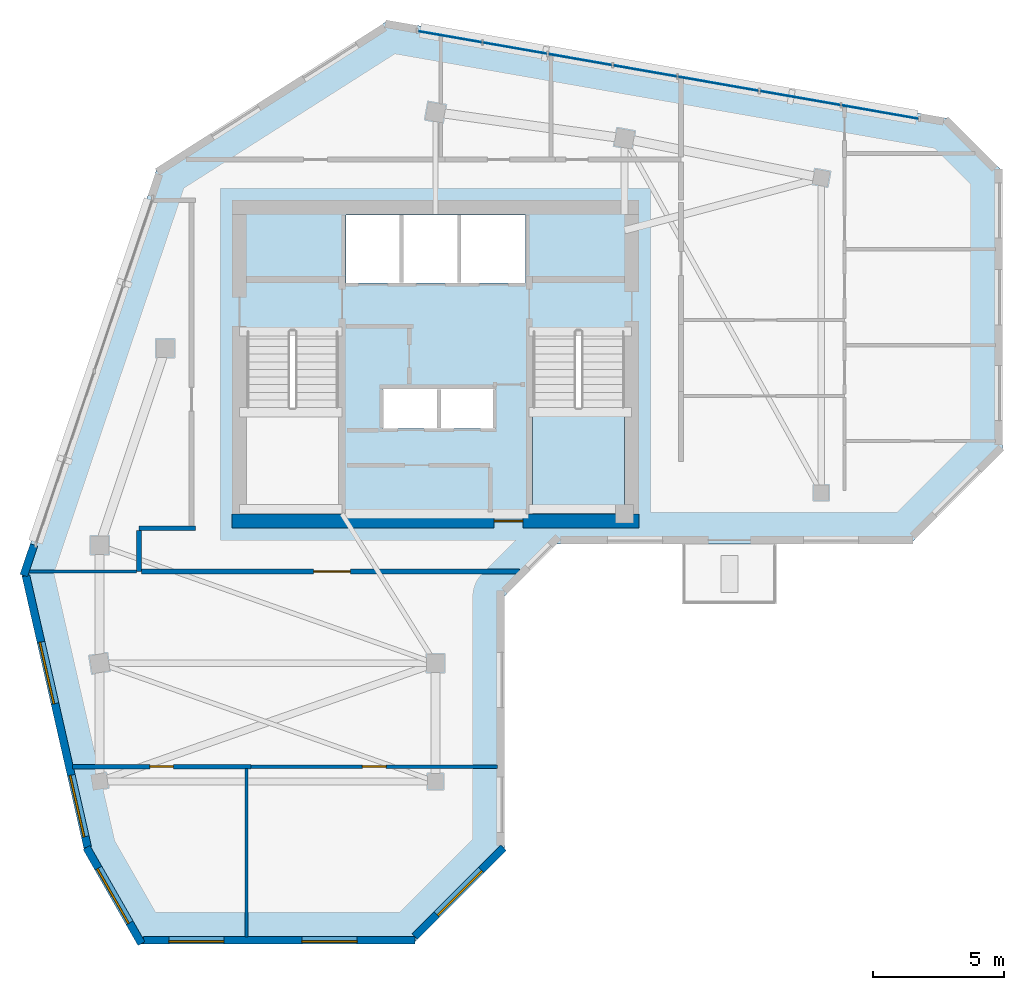
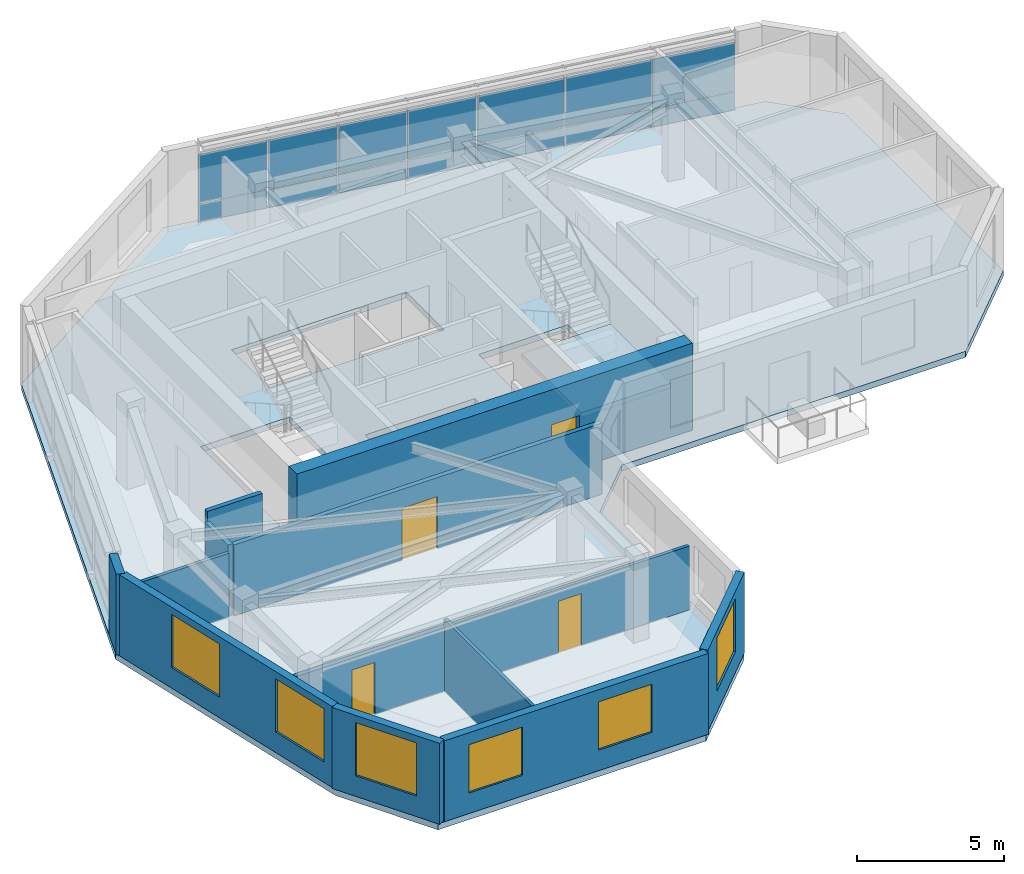
# One storey, part 3 of 9: 14 plates, 13 walls, 6 windows, 4 doors, 2 slabs, 10 openings, 2 elements without a shape of their own.
"""IFC4 building model written with IfcOpenShell, lengths in metres."""

from ifc_helpers import new_model, si_unit, direction, frame, frame_2d, origin, place, context, subcontext, project, spatial, polyline, rectangle, outline, extrude, source, transform, mapped, material, layer, layer_set, type_object, element, fill, aggregate, save


model = new_model("IFC4")

# Units and contexts
model_context = context("Model", 3, precision=1e-05, world=origin(), true_north=direction((0.0, 1.0)))
body_context = subcontext(model_context, "Body", "Model", "MODEL_VIEW")
ifc_project = project(units=[si_unit("LENGTHUNIT", "METRE"), si_unit("AREAUNIT", "SQUARE_METRE"), si_unit("VOLUMEUNIT", "CUBIC_METRE"), si_unit("PLANEANGLEUNIT", "RADIAN"), si_unit("MASSUNIT", "GRAM", prefix="KILO")], contexts=[model_context])

# Site, building, storey
site_placement = place(None, origin())
site = spatial("IfcSite", under=ifc_project, at=site_placement, CompositionType="ELEMENT")
building_placement = place(site_placement, origin())
building = spatial("IfcBuilding", under=site, at=building_placement, Name="Calvemar Wedge Station Tower", CompositionType="ELEMENT")
storey_placement = place(building_placement, frame((0.0, 0.0, 270.89990234375)))
storey = spatial("IfcBuildingStorey", under=building, at=storey_placement, Name="L69", CompositionType="ELEMENT", Elevation=270.89990234375)

# Curtain wall, plates
ifc_material_1 = material(Name="Anodised aluminium 6063-T6", Category="aluminium")
curtain_wall_type = type_object("IfcCurtainWallType", Name="CW4", PredefinedType="NOTDEFINED", material=ifc_material_1)
curtain_wall_placement = place(storey_placement, origin())
curtain_wall = element("IfcCurtainWall", 1, at=curtain_wall_placement, inside=storey, type_object=curtain_wall_type, Name="Storey L69 CW4 Recessed Unitised Curtain Wall 10", PredefinedType="NOTDEFINED")
ifc_material_2 = material(Name="Low-E laminated insulated glass", Category="glass")
ifc_layer_1 = layer(ifc_material_2, 0.028076171875)
ifc_layer_set_1 = layer_set([ifc_layer_1], Name="Low-E laminated insulated glass")
plate_type_1 = type_object("IfcPlateType", Name="CW4-GLZ", PredefinedType="CURTAIN_PANEL", material=ifc_layer_set_1)
plate_1_placement = place(storey_placement, frame((42.2158203125, 49.25, 0.8701171875), z_axis=(0.0, 0.0, 1.0), x_axis=(-0.985039826474, 0.172326841378, 0.0)))
plate_1 = element("IfcPlate", 2, at=plate_1_placement, type_object=plate_type_1, Name="CW4 vision glass panel 1", PredefinedType="CURTAIN_PANEL", context=body_context, shape_type="SweptSolid", body=[
    extrude(rectangle(XDim=2.9892578125, YDim=0.028076171875, at=frame_2d((1.49462890625, 0.0))), origin(), (0.0, 0.0, 1.0), 2.010009765625),
])
plate_2_placement = place(storey_placement, frame((39.23583984375, 49.771484375, 0.8701171875), z_axis=(0.0, 0.0, 1.0), x_axis=(-0.985045707379, 0.172293222078, 0.0)))
plate_2 = element("IfcPlate", 3, at=plate_2_placement, type_object=plate_type_1, Name="CW4 vision glass panel 2", PredefinedType="CURTAIN_PANEL", context=body_context, shape_type="SweptSolid", body=[
    extrude(rectangle(XDim=3.12744140625, YDim=0.028076171875, at=frame_2d((1.563720703125, 0.0))), origin(), (0.0, 0.0, 1.0), 2.010009765625),
])
plate_3_placement = place(storey_placement, frame((36.119873046875, 50.31640625, 0.8701171875), z_axis=(0.0, 0.0, 1.0), x_axis=(-0.985032455421, 0.17236896985, 0.0)))
plate_3 = element("IfcPlate", 4, at=plate_3_placement, type_object=plate_type_1, Name="CW4 vision glass panel 3", PredefinedType="CURTAIN_PANEL", context=body_context, shape_type="SweptSolid", body=[
    extrude(rectangle(XDim=3.12744140625, YDim=0.028076171875, at=frame_2d((1.563720703125, 0.0))), origin(), (0.0, 0.0, 1.0), 2.010009765625),
])
plate_4_placement = place(storey_placement, frame((33.00390625, 50.861572265625, 0.8701171875), z_axis=(0.0, 0.0, 1.0), x_axis=(-0.985043436117, 0.172306206978, 0.0)))
plate_4 = element("IfcPlate", 5, at=plate_4_placement, type_object=plate_type_1, Name="CW4 vision glass panel 4", PredefinedType="CURTAIN_PANEL", context=body_context, shape_type="SweptSolid", body=[
    extrude(rectangle(XDim=2.476806640625, YDim=0.028076171875, at=frame_2d((1.23828125, 0.0))), origin(), (0.0, 0.0, 1.0), 2.010009765625),
])
plate_5_placement = place(storey_placement, frame((30.52880859375, 51.294677734375, 0.8701171875), z_axis=(0.0, 0.0, 1.0), x_axis=(-0.985040509104, 0.172322939343, 0.0)))
plate_5 = element("IfcPlate", 6, at=plate_5_placement, type_object=plate_type_1, Name="CW4 vision glass panel 5", PredefinedType="CURTAIN_PANEL", context=body_context, shape_type="SweptSolid", body=[
    extrude(rectangle(XDim=2.4765625, YDim=0.028076171875, at=frame_2d((1.23828125, 0.0))), origin(), (0.0, 0.0, 1.0), 2.010009765625),
])
plate_6_placement = place(storey_placement, frame((28.053955078125, 51.7275390625, 0.8701171875), z_axis=(0.0, 0.0, 1.0), x_axis=(-0.985028799202, 0.172389862645, 0.0)))
plate_6 = element("IfcPlate", 7, at=plate_6_placement, type_object=plate_type_1, Name="CW4 vision glass panel 6", PredefinedType="CURTAIN_PANEL", context=body_context, shape_type="SweptSolid", body=[
    extrude(rectangle(XDim=2.4853515625, YDim=0.028076171875, at=frame_2d((1.24267578125, 0.0))), origin(), (0.0, 0.0, 1.0), 2.010009765625),
])
plate_7_placement = place(storey_placement, frame((25.5703125, 52.162109375, 0.8701171875), z_axis=(0.0, 0.0, 1.0), x_axis=(-0.985039641183, 0.172327900522, 0.0)))
plate_7 = element("IfcPlate", 8, at=plate_7_placement, type_object=plate_type_1, Name="CW4 vision glass panel 7", PredefinedType="CURTAIN_PANEL", context=body_context, shape_type="SweptSolid", body=[
    extrude(rectangle(XDim=2.48486328125, YDim=0.028076171875, at=frame_2d((1.242431640625, 0.0))), origin(), (0.0, 0.0, 1.0), 2.010009765625),
])
ifc_material_3 = material(Name="Oxidized bronze aluminium spandrel panel 5005-H24", Category="aluminium")
ifc_layer_2 = layer(ifc_material_3, 0.0400390625)
ifc_layer_set_2 = layer_set([ifc_layer_2], Name="Oxidized bronze aluminium spandrel panel 5005-H24")
plate_type_2 = type_object("IfcPlateType", Name="CW4-SPD", PredefinedType="SHEET", material=ifc_layer_set_2)
plate_8_placement = place(storey_placement, frame((42.2158203125, 49.25, 0.080078125), z_axis=(0.0, 0.0, 1.0), x_axis=(-0.985039826474, 0.172326841378, 0.0)))
plate_8 = element("IfcPlate", 9, at=plate_8_placement, type_object=plate_type_2, Name="CW4 bronze spandrel panel 1", PredefinedType="SHEET", context=body_context, shape_type="SweptSolid", body=[
    extrude(rectangle(XDim=2.9892578125, YDim=0.0400390625, at=frame_2d((1.49462890625, 0.0))), origin(), (0.0, 0.0, 1.0), 0.75),
])
plate_9_placement = place(storey_placement, frame((39.23583984375, 49.771484375, 0.080078125), z_axis=(0.0, 0.0, 1.0), x_axis=(-0.985045707379, 0.172293222078, 0.0)))
plate_9 = element("IfcPlate", 10, at=plate_9_placement, type_object=plate_type_2, Name="CW4 bronze spandrel panel 2", PredefinedType="SHEET", context=body_context, shape_type="SweptSolid", body=[
    extrude(rectangle(XDim=3.12744140625, YDim=0.0400390625, at=frame_2d((1.563720703125, 0.0))), origin(), (0.0, 0.0, 1.0), 0.75),
])
plate_10_placement = place(storey_placement, frame((36.119873046875, 50.31640625, 0.080078125), z_axis=(0.0, 0.0, 1.0), x_axis=(-0.985032455421, 0.17236896985, 0.0)))
plate_10 = element("IfcPlate", 11, at=plate_10_placement, type_object=plate_type_2, Name="CW4 bronze spandrel panel 3", PredefinedType="SHEET", context=body_context, shape_type="SweptSolid", body=[
    extrude(rectangle(XDim=3.12744140625, YDim=0.0400390625, at=frame_2d((1.563720703125, 0.0))), origin(), (0.0, 0.0, 1.0), 0.75),
])
plate_11_placement = place(storey_placement, frame((33.00390625, 50.861572265625, 0.080078125), z_axis=(0.0, 0.0, 1.0), x_axis=(-0.985043436117, 0.172306206978, 0.0)))
plate_11 = element("IfcPlate", 12, at=plate_11_placement, type_object=plate_type_2, Name="CW4 bronze spandrel panel 4", PredefinedType="SHEET", context=body_context, shape_type="SweptSolid", body=[
    extrude(rectangle(XDim=2.476806640625, YDim=0.0400390625, at=frame_2d((1.23828125, 0.0))), origin(), (0.0, 0.0, 1.0), 0.75),
])
plate_12_placement = place(storey_placement, frame((30.52880859375, 51.294677734375, 0.080078125), z_axis=(0.0, 0.0, 1.0), x_axis=(-0.985040509104, 0.172322939343, 0.0)))
plate_12 = element("IfcPlate", 13, at=plate_12_placement, type_object=plate_type_2, Name="CW4 bronze spandrel panel 5", PredefinedType="SHEET", context=body_context, shape_type="SweptSolid", body=[
    extrude(rectangle(XDim=2.4765625, YDim=0.0400390625, at=frame_2d((1.23828125, 0.0))), origin(), (0.0, 0.0, 1.0), 0.75),
])
plate_13_placement = place(storey_placement, frame((28.053955078125, 51.7275390625, 0.080078125), z_axis=(0.0, 0.0, 1.0), x_axis=(-0.985028799202, 0.172389862645, 0.0)))
plate_13 = element("IfcPlate", 14, at=plate_13_placement, type_object=plate_type_2, Name="CW4 bronze spandrel panel 6", PredefinedType="SHEET", context=body_context, shape_type="SweptSolid", body=[
    extrude(rectangle(XDim=2.4853515625, YDim=0.0400390625, at=frame_2d((1.24267578125, 0.0))), origin(), (0.0, 0.0, 1.0), 0.75),
])
plate_14_placement = place(storey_placement, frame((25.5703125, 52.162109375, 0.080078125), z_axis=(0.0, 0.0, 1.0), x_axis=(-0.985039641183, 0.172327900522, 0.0)))
plate_14 = element("IfcPlate", 15, at=plate_14_placement, type_object=plate_type_2, Name="CW4 bronze spandrel panel 7", PredefinedType="SHEET", context=body_context, shape_type="SweptSolid", body=[
    extrude(rectangle(XDim=2.48486328125, YDim=0.0400390625, at=frame_2d((1.242431640625, 0.0))), origin(), (0.0, 0.0, 1.0), 0.75),
])
aggregate(curtain_wall, [plate_8, plate_1, plate_9, plate_2, plate_10, plate_3, plate_11, plate_4, plate_12, plate_5, plate_13, plate_6, plate_14, plate_7])

# Stair, slab
ifc_material_4 = material(Name="Concrete C45", Category="concrete")
stair_type = type_object("IfcStairType", Name="ST-TYPE-3600", PredefinedType="HALF_TURN_STAIR", material=ifc_material_4)
stair_placement = place(storey_placement, origin())
stair = element("IfcStair", 16, at=stair_placement, inside=storey, type_object=stair_type, Name="L69 Pressurized Core Exit Stair ST-C2", PredefinedType="HALF_TURN_STAIR")
ifc_layer_3 = layer(ifc_material_4, 0.199951171875)
ifc_layer_set_3 = layer_set([ifc_layer_3], Name="Concrete C45")
slab_type_1 = type_object("IfcSlabType", Name="SL-STAIR-LND-200", PredefinedType="LANDING", material=ifc_layer_set_3)
slab_1_placement = place(storey_placement, frame((0.0, 0.0, 1.60009765625)))
slab_1 = element("IfcSlab", 17, at=slab_1_placement, type_object=slab_type_1, Name="ST-C2 landing 1", PredefinedType="LANDING", context=body_context, shape_type="SweptSolid", body=[
    extrude(outline(polyline([(27.5, 38.25), (27.5, 34.199951171875), (31.0, 34.199951171875), (31.0, 38.25), (27.5, 38.25)])), origin(), (0.0, 0.0, 1.0), 0.199951171875),
])
aggregate(stair, [slab_1])

# Slab
ifc_material_5 = material(Name="Concrete C50", Category="concrete")
ifc_layer_4 = layer(ifc_material_5, 0.25)
ifc_layer_set_4 = layer_set([ifc_layer_4], Name="Concrete C50")
slab_type_2 = type_object("IfcSlabType", Name="SL-TYP-250", PredefinedType="FLOOR", material=ifc_layer_set_4)
slab_2_placement = place(storey_placement, frame((0.0, 0.0, -0.25)))
element("IfcSlab", 18, at=slab_2_placement, inside=storey, type_object=slab_type_2, Name="Storey L69 Structural Floor Slab", PredefinedType="FLOOR", context=body_context, shape_type="SweptSolid", body=[
    extrude(outline(polyline([(8.0, 32.0), (10.431884765625, 21.300048828125), (12.431884765625, 17.800048828125), (22.931884765625, 17.800048828125), (26.431884765625, 21.300048828125), (26.431884765625, 31.055908203125), (28.431884765625, 33.055908203125), (41.89990234375, 33.055908203125), (45.39990234375, 36.555908203125), (45.39990234375, 47.256103515625), (43.39990234375, 49.256103515625), (22.0, 53.0), (13.199951171875, 47.39990234375), (8.0, 32.0)]), holes=[polyline([(20.10009765625, 34.199951171875), (20.10009765625, 41.14990234375), (16.60009765625, 41.14990234375), (16.60009765625, 34.199951171875), (20.10009765625, 34.199951171875)]), polyline([(31.0, 34.199951171875), (31.0, 41.14990234375), (27.5, 41.14990234375), (27.5, 34.199951171875), (31.0, 34.199951171875)]), polyline([(23.929931640625, 38.949951171875), (21.7900390625, 38.949951171875), (21.7900390625, 37.449951171875), (23.929931640625, 37.449951171875), (23.93994140625, 37.449951171875), (26.080078125, 37.449951171875), (26.080078125, 38.949951171875), (23.93994140625, 38.949951171875), (23.929931640625, 38.949951171875)]), polyline([(27.219970703125, 43.0), (27.219970703125, 45.580078125), (20.3798828125, 45.580078125), (20.3798828125, 43.0), (27.219970703125, 43.0)])]), origin(), (0.0, 0.0, 1.0), 0.25),
])

# Wall, opening, door
ifc_material_6 = material(Name="Concrete C60", Category="concrete")
ifc_layer_5 = layer(ifc_material_6, 0.550048828125)
ifc_layer_set_5 = layer_set([ifc_layer_5], Name="Concrete C60")
wall_type_1 = type_object("IfcWallType", Name="SW-CORE-550", PredefinedType="SHEAR", material=ifc_layer_set_5)
wall_1_placement = place(storey_placement, frame((16.050048828125, 33.925048828125, 0.0), z_axis=(0.0, 0.0, 1.0), x_axis=(1.0, 0.0, 0.0)))
wall_1 = element("IfcWall", 19, at=wall_1_placement, inside=storey, type_object=wall_type_1, Name="Storey L69 Core Shear Wall S", PredefinedType="SHEAR", context=body_context, shape_type="SweptSolid", body=[
    extrude(rectangle(XDim=15.5, YDim=0.550048828125, at=frame_2d((7.75, 0.0))), origin(), (0.0, 0.0, 1.0), 3.60009765625),
])
shared_shape_1 = source(origin(), body_context, "Body", "SweptSolid", [
    extrude(rectangle(XDim=1.10009765625, YDim=2.14990234375, at=frame_2d((0.550048828125, 1.074951171875))), frame((0.0, 0.28515625, 0.0), z_axis=(0.0, -1.0, 0.0), x_axis=(1.0, 0.0, 0.0)), (0.0, 0.0, 1.0), 0.570068359375),
])
opening_1_placement = place(wall_1_placement, frame((9.97998046875, 0.0, 0.0)))
opening_1 = element("IfcOpeningElement", 20, at=opening_1_placement, cuts=wall_1, Name="Opening FD-90", PredefinedType="OPENING", context=body_context, shape_type="MappedRepresentation", body=[
    mapped(shared_shape_1, transform((0.0, 0.0, 0.0), scale=1.0)),
])
ifc_material_7 = material(Name="Galvanized fire-rated steel door leaf P-90", Category="steel")
door_type_1 = type_object("IfcDoorType", Name="DR-FD90-1100", OperationType="NOTDEFINED", PredefinedType="DOOR", material=ifc_material_7)
shared_shape_2 = source(origin(), body_context, "Body", "SweptSolid", [
    extrude(rectangle(XDim=1.10009765625, YDim=2.14990234375, at=frame_2d((0.550048828125, 1.074951171875))), frame((0.0, 0.02490234375, 0.0), z_axis=(0.0, -1.0, 0.0), x_axis=(1.0, 0.0, 0.0)), (0.0, 0.0, 1.0), 0.050048828125),
])
door_1_placement = place(opening_1_placement, origin())
door_1 = element("IfcDoor", 21, at=door_1_placement, inside=storey, type_object=door_type_1, Name="L69 Passenger Lift Lobby Door", OperationType="SINGLE_SWING_LEFT", OverallHeight=2.14990234375, OverallWidth=1.10009765625, PredefinedType="DOOR", context=body_context, shape_type="MappedRepresentation", body=[
    mapped(shared_shape_2, transform((0.0, 0.0, 0.0), scale=1.0)),
])
fill(opening_1, door_1)

# Walls
ifc_material_8 = material(Name="Double-stud fire-rated corridor partition")
ifc_layer_6 = layer(ifc_material_8, 0.179931640625)
ifc_layer_set_6 = layer_set([ifc_layer_6], Name="Double-stud fire-rated corridor partition")
wall_type_2 = type_object("IfcWallType", Name="W-CORR-180", PredefinedType="PARTITIONING", material=ifc_layer_set_6)
wall_2_placement = place(storey_placement, frame((12.5, 33.64990234375, 0.0), z_axis=(0.0, 0.0, 1.0), x_axis=(1.0, 0.0, 0.0)))
element("IfcWall", 22, at=wall_2_placement, inside=storey, type_object=wall_type_2, Name="Storey L69 Interior Partition WL-L69-007", PredefinedType="PARTITIONING", context=body_context, shape_type="SweptSolid", body=[
    extrude(rectangle(XDim=2.159912109375, YDim=0.179931640625, at=frame_2d((1.080078125, 0.0))), origin(), (0.0, 0.0, 1.0), 3.35009765625),
])
wall_3_placement = place(storey_placement, frame((12.5, 32.0, 0.0), z_axis=(0.0, 0.0, 1.0), x_axis=(0.0, 1.0, 0.0)))
element("IfcWall", 23, at=wall_3_placement, inside=storey, type_object=wall_type_2, Name="Storey L69 Interior Partition WL-L69-008", PredefinedType="PARTITIONING", context=body_context, shape_type="SweptSolid", body=[
    extrude(rectangle(XDim=1.555908203125, YDim=0.179931640625, at=frame_2d((0.77783203125, 0.0))), origin(), (0.0, 0.0, 1.0), 2.93505859375),
])

# Wall, opening, door
wall_4_placement = place(storey_placement, frame((27.001220703125, 32.0, 0.0), z_axis=(0.0, 0.0, 1.0), x_axis=(-1.0, 0.0, 0.0)))
wall_4 = element("IfcWall", 24, at=wall_4_placement, inside=storey, type_object=wall_type_2, Name="Storey L69 Interior Partition WL-L69-009", PredefinedType="PARTITIONING", context=body_context, shape_type="SweptSolid", body=[
    extrude(rectangle(XDim=14.4072265625, YDim=0.179931640625, at=frame_2d((7.20361328125, 0.0))), origin(), (0.0, 0.0, 1.0), 2.93505859375),
])
shared_shape_3 = source(origin(), body_context, "Body", "SweptSolid", [
    extrude(rectangle(XDim=1.39990234375, YDim=2.14990234375, at=frame_2d((0.699951171875, 1.074951171875))), frame((0.0, 0.10009765625, 0.0), z_axis=(0.0, -1.0, 0.0), x_axis=(1.0, 0.0, 0.0)), (0.0, 0.0, 1.0), 0.199951171875),
])
opening_2_placement = place(wall_4_placement, frame((6.443115234375, 0.0, 0.0)))
opening_2 = element("IfcOpeningElement", 25, at=opening_2_placement, cuts=wall_4, Name="Opening DD-140", PredefinedType="OPENING", context=body_context, shape_type="MappedRepresentation", body=[
    mapped(shared_shape_3, transform((0.0, 0.0, 0.0), scale=1.0)),
])
ifc_material_9 = material(Name="Double-leaf corridor acoustic fire door EI 60")
door_type_2 = type_object("IfcDoorType", Name="DR-DBL-1400", OperationType="DOUBLE_DOOR_SINGLE_SWING", PredefinedType="DOOR", material=ifc_material_9)
shared_shape_4 = source(origin(), body_context, "Body", "SweptSolid", [
    extrude(rectangle(XDim=1.39990234375, YDim=2.14990234375, at=frame_2d((0.699951171875, 1.074951171875))), frame((0.0, 0.02490234375, 0.0), z_axis=(0.0, -1.0, 0.0), x_axis=(1.0, 0.0, 0.0)), (0.0, 0.0, 1.0), 0.050048828125),
])
door_2_placement = place(opening_2_placement, origin())
door_2 = element("IfcDoor", 26, at=door_2_placement, inside=storey, type_object=door_type_2, Name="L69 Panoramic Sky Dining Hall Door", OperationType="SINGLE_SWING_LEFT", OverallHeight=2.14990234375, OverallWidth=1.39990234375, PredefinedType="DOOR", context=body_context, shape_type="MappedRepresentation", body=[
    mapped(shared_shape_4, transform((0.0, 0.0, 0.0), scale=1.0)),
])
fill(opening_2, door_2)

wall_5_placement = place(storey_placement, frame((16.760009765625, 24.56494140625, 0.0), z_axis=(0.0, 0.0, 1.0), x_axis=(-1.0, 0.0, 0.0)))
wall_5 = element("IfcWall", 27, at=wall_5_placement, inside=storey, type_object=wall_type_2, Name="Storey L69 Interior Partition WL-L69-036", PredefinedType="PARTITIONING", context=body_context, shape_type="SweptSolid", body=[
    extrude(rectangle(XDim=6.79833984375, YDim=0.179931640625, at=frame_2d((3.399169921875, 0.0))), origin(), (0.0, 0.0, 1.0), 2.64208984375),
])
shared_shape_5 = source(origin(), body_context, "Body", "SweptSolid", [
    extrude(rectangle(XDim=0.89990234375, YDim=2.14990234375, at=frame_2d((0.449951171875, 1.074951171875))), frame((0.0, 0.10009765625, 0.0), z_axis=(0.0, -1.0, 0.0), x_axis=(1.0, 0.0, 0.0)), (0.0, 0.0, 1.0), 0.199951171875),
])
opening_3_placement = place(wall_5_placement, frame((2.94921875, 0.0, 0.0)))
opening_3 = element("IfcOpeningElement", 28, at=opening_3_placement, cuts=wall_5, Name="Opening FD-60", PredefinedType="OPENING", context=body_context, shape_type="MappedRepresentation", body=[
    mapped(shared_shape_5, transform((0.0, 0.0, 0.0), scale=1.0)),
])
ifc_material_10 = material(Name="Fire-rated acoustic timber-core entrance door EI 60", Category="wood")
door_type_3 = type_object("IfcDoorType", Name="DR-FD60-900", OperationType="NOTDEFINED", PredefinedType="DOOR", material=ifc_material_10)
shared_shape_6 = source(origin(), body_context, "Body", "SweptSolid", [
    extrude(rectangle(XDim=0.89990234375, YDim=2.14990234375, at=frame_2d((0.449951171875, 1.074951171875))), frame((0.0, 0.02490234375, 0.0), z_axis=(0.0, -1.0, 0.0), x_axis=(1.0, 0.0, 0.0)), (0.0, 0.0, 1.0), 0.050048828125),
])
door_3_placement = place(opening_3_placement, origin())
door_3 = element("IfcDoor", 29, at=door_3_placement, inside=storey, type_object=door_type_3, Name="L69 Communal Sky Kitchen Door", OperationType="SINGLE_SWING_RIGHT", OverallHeight=2.14990234375, OverallWidth=0.89990234375, PredefinedType="DOOR", context=body_context, shape_type="MappedRepresentation", body=[
    mapped(shared_shape_6, transform((0.0, 0.0, 0.0), scale=1.0)),
])
fill(opening_3, door_3)

# Wall, opening, window
ifc_material_11 = material(Name="Precast concrete C45", Category="concrete")
ifc_layer_7 = layer(ifc_material_11, 0.300048828125)
ifc_layer_set_7 = layer_set([ifc_layer_7], Name="Precast concrete C45")
wall_type_3 = type_object("IfcWallType", Name="W-EXT-GFRC-300", PredefinedType="SOLIDWALL", material=ifc_layer_set_7)
wall_6_placement = place(storey_placement, frame((10.498779296875, 21.4853515625, 0.0), z_axis=(0.0, 0.0, 1.0), x_axis=(0.496163848656, -0.868228907194, 0.0)))
wall_6 = element("IfcWall", 30, at=wall_6_placement, inside=storey, type_object=wall_type_3, Name="Storey L69 Bronze GFRC Exterior Wall 1", PredefinedType="SOLIDWALL", context=body_context, shape_type="SweptSolid", body=[
    extrude(rectangle(XDim=4.221923828125, YDim=0.300048828125, at=frame_2d((2.11083984375, 0.0))), origin(), (0.0, 0.0, 1.0), 3.35009765625),
])
shared_shape_7 = source(origin(), body_context, "Body", "SweptSolid", [
    extrude(rectangle(XDim=2.39990234375, YDim=2.199951171875, at=frame_2d((1.199951171875, 1.10009765625))), frame((0.0, 0.16015625, 0.0), z_axis=(0.0, -1.0, 0.0), x_axis=(1.0, 0.0, 0.0)), (0.0, 0.0, 1.0), 0.320068359375),
])
opening_4_placement = place(wall_6_placement, frame((0.910888671875, 0.0, 0.85009765625)))
opening_4 = element("IfcOpeningElement", 31, at=opening_4_placement, cuts=wall_6, Name="Opening W1", PredefinedType="OPENING", context=body_context, shape_type="MappedRepresentation", body=[
    mapped(shared_shape_7, transform((0.0, 0.0, 0.0), scale=1.0)),
])
window_type_1 = type_object("IfcWindowType", Name="WIN-EXT-1", PartitioningType="SINGLE_PANEL", PredefinedType="WINDOW", material=ifc_material_2)
shared_shape_8 = source(origin(), body_context, "Body", "SweptSolid", [
    extrude(rectangle(XDim=2.39990234375, YDim=2.199951171875, at=frame_2d((1.199951171875, 1.10009765625))), frame((0.0, -0.014892578125, 0.0), z_axis=(0.0, -1.0, 0.0), x_axis=(1.0, 0.0, 0.0)), (0.0, 0.0, 1.0), 0.06005859375),
])
window_1_placement = place(opening_4_placement, origin())
window_1 = element("IfcWindow", 32, at=window_1_placement, inside=storey, type_object=window_type_1, Name="Storey L69 Recessed Window 1.1", OverallHeight=2.199951171875, OverallWidth=2.39990234375, PartitioningType="SINGLE_PANEL", PredefinedType="WINDOW", context=body_context, shape_type="MappedRepresentation", body=[
    mapped(shared_shape_8, transform((0.0, 0.0, 0.0), scale=1.0)),
])
fill(opening_4, window_1)

# Wall, openings, windows
wall_7_placement = place(storey_placement, frame((12.677978515625, 17.949951171875, 0.0), z_axis=(0.0, 0.0, 1.0), x_axis=(1.0, 0.0, 0.0)))
wall_7 = element("IfcWall", 33, at=wall_7_placement, inside=storey, type_object=wall_type_3, Name="Storey L69 Bronze GFRC Exterior Wall 2", PredefinedType="SOLIDWALL", context=body_context, shape_type="SweptSolid", body=[
    extrude(rectangle(XDim=10.342041015625, YDim=0.300048828125, at=frame_2d((5.1708984375, 0.0))), origin(), (0.0, 0.0, 1.0), 3.35009765625),
])
shared_shape_9 = source(origin(), body_context, "Body", "SweptSolid", [
    extrude(rectangle(XDim=2.10009765625, YDim=2.0, at=frame_2d((1.050048828125, 1.0))), frame((0.0, 0.16015625, 0.0), z_axis=(0.0, -1.0, 0.0), x_axis=(1.0, 0.0, 0.0)), (0.0, 0.0, 1.0), 0.320068359375),
])
opening_5_placement = place(wall_7_placement, frame((0.9609375, 0.0, 0.85009765625)))
opening_5 = element("IfcOpeningElement", 34, at=opening_5_placement, cuts=wall_7, Name="Opening W4", PredefinedType="OPENING", context=body_context, shape_type="MappedRepresentation", body=[
    mapped(shared_shape_9, transform((0.0, 0.0, 0.0), scale=1.0)),
])
opening_6_placement = place(wall_7_placement, frame((6.031982421875, 0.0, 0.85009765625)))
opening_6 = element("IfcOpeningElement", 35, at=opening_6_placement, cuts=wall_7, Name="Opening W4", PredefinedType="OPENING", context=body_context, shape_type="MappedRepresentation", body=[
    mapped(shared_shape_9, transform((0.0, 0.0, 0.0), scale=1.0)),
])
window_type_2 = type_object("IfcWindowType", Name="WIN-EXT-4", PartitioningType="SINGLE_PANEL", PredefinedType="WINDOW", material=ifc_material_2)
shared_shape_10 = source(origin(), body_context, "Body", "SweptSolid", [
    extrude(rectangle(XDim=2.10009765625, YDim=2.0, at=frame_2d((1.050048828125, 1.0))), frame((0.0, -0.014892578125, 0.0), z_axis=(0.0, -1.0, 0.0), x_axis=(1.0, 0.0, 0.0)), (0.0, 0.0, 1.0), 0.06005859375),
])
window_2_placement = place(opening_5_placement, origin())
window_2 = element("IfcWindow", 36, at=window_2_placement, inside=storey, type_object=window_type_2, Name="Storey L69 Recessed Window 2.1", OverallHeight=2.0, OverallWidth=2.10009765625, PartitioningType="SINGLE_PANEL", PredefinedType="WINDOW", context=body_context, shape_type="MappedRepresentation", body=[
    mapped(shared_shape_10, transform((0.0, 0.0, 0.0), scale=1.0)),
])
fill(opening_5, window_2)
window_3_placement = place(opening_6_placement, origin())
window_3 = element("IfcWindow", 37, at=window_3_placement, inside=storey, type_object=window_type_2, Name="Storey L69 Recessed Window 2.2", OverallHeight=2.0, OverallWidth=2.10009765625, PartitioningType="SINGLE_PANEL", PredefinedType="WINDOW", context=body_context, shape_type="MappedRepresentation", body=[
    mapped(shared_shape_10, transform((0.0, 0.0, 0.0), scale=1.0)),
])
fill(opening_6, window_3)

# Wall, opening, window
wall_8_placement = place(storey_placement, frame((23.0078125, 18.087890625, 0.0), z_axis=(0.0, 0.0, 1.0), x_axis=(0.707106781187, 0.707106781187, 0.0)))
wall_8 = element("IfcWall", 38, at=wall_8_placement, inside=storey, type_object=wall_type_3, Name="Storey L69 Bronze GFRC Exterior Wall 3", PredefinedType="SOLIDWALL", context=body_context, shape_type="SweptSolid", body=[
    extrude(rectangle(XDim=4.780517578125, YDim=0.300048828125, at=frame_2d((2.39013671875, 0.0))), origin(), (0.0, 0.0, 1.0), 3.35009765625),
])
opening_7_placement = place(wall_8_placement, frame((1.18994140625, 0.0, 0.85009765625)))
opening_7 = element("IfcOpeningElement", 39, at=opening_7_placement, cuts=wall_8, Name="Opening W1", PredefinedType="OPENING", context=body_context, shape_type="MappedRepresentation", body=[
    mapped(shared_shape_7, transform((0.0, 0.0, 0.0), scale=1.0)),
])
window_4_placement = place(opening_7_placement, origin())
window_4 = element("IfcWindow", 40, at=window_4_placement, inside=storey, type_object=window_type_1, Name="Storey L69 Recessed Window 3.1", OverallHeight=2.199951171875, OverallWidth=2.39990234375, PartitioningType="SINGLE_PANEL", PredefinedType="WINDOW", context=body_context, shape_type="MappedRepresentation", body=[
    mapped(shared_shape_8, transform((0.0, 0.0, 0.0), scale=1.0)),
])
fill(opening_7, window_4)

# Wall
wall_9_placement = place(storey_placement, frame((8.501220703125, 33.015380859375, 0.0), z_axis=(0.0, 0.0, 1.0), x_axis=(-0.319916718913, -0.94744566755, 0.0)))
element("IfcWall", 41, at=wall_9_placement, inside=storey, type_object=wall_type_3, Name="Storey L69 Bronze GFRC Corner Pier 12B", PredefinedType="SOLIDWALL", context=body_context, shape_type="SweptSolid", body=[
    extrude(rectangle(XDim=1.230224609375, YDim=0.300048828125, at=frame_2d((0.615234375, 0.0))), origin(), (0.0, 0.0, 1.0), 3.35009765625),
])

# Wall, openings, windows
wall_10_placement = place(storey_placement, frame((8.19140625, 31.834228515625, 0.0), z_axis=(0.0, 0.0, 1.0), x_axis=(0.221636032737, -0.975129462683, 0.0)))
wall_10 = element("IfcWall", 42, at=wall_10_placement, inside=storey, type_object=wall_type_3, Name="Storey L69 Bronze GFRC Exterior Wall 13", PredefinedType="SOLIDWALL", context=body_context, shape_type="SweptSolid", body=[
    extrude(rectangle(XDim=10.602294921875, YDim=0.300048828125, at=frame_2d((5.30126953125, 0.0))), origin(), (0.0, 0.0, 1.0), 3.35009765625),
])
opening_8_placement = place(wall_10_placement, frame((2.590087890625, 0.0, 0.85009765625)))
opening_8 = element("IfcOpeningElement", 43, at=opening_8_placement, cuts=wall_10, Name="Opening W1", PredefinedType="OPENING", context=body_context, shape_type="MappedRepresentation", body=[
    mapped(shared_shape_7, transform((0.0, 0.0, 0.0), scale=1.0)),
])
opening_9_placement = place(wall_10_placement, frame((7.791015625, 0.0, 0.85009765625)))
opening_9 = element("IfcOpeningElement", 44, at=opening_9_placement, cuts=wall_10, Name="Opening W1", PredefinedType="OPENING", context=body_context, shape_type="MappedRepresentation", body=[
    mapped(shared_shape_7, transform((0.0, 0.0, 0.0), scale=1.0)),
])
window_5_placement = place(opening_8_placement, origin())
window_5 = element("IfcWindow", 45, at=window_5_placement, inside=storey, type_object=window_type_1, Name="Storey L69 Recessed Window 13.1", OverallHeight=2.199951171875, OverallWidth=2.39990234375, PartitioningType="SINGLE_PANEL", PredefinedType="WINDOW", context=body_context, shape_type="MappedRepresentation", body=[
    mapped(shared_shape_8, transform((0.0, 0.0, 0.0), scale=1.0)),
])
fill(opening_8, window_5)
window_6_placement = place(opening_9_placement, origin())
window_6 = element("IfcWindow", 46, at=window_6_placement, inside=storey, type_object=window_type_1, Name="Storey L69 Recessed Window 13.2", OverallHeight=2.199951171875, OverallWidth=2.39990234375, PartitioningType="SINGLE_PANEL", PredefinedType="WINDOW", context=body_context, shape_type="MappedRepresentation", body=[
    mapped(shared_shape_8, transform((0.0, 0.0, 0.0), scale=1.0)),
])
fill(opening_9, window_6)

# Wall
ifc_material_12 = material(Name="Insulated acoustic gypsum stud partition")
ifc_layer_8 = layer(ifc_material_12, 0.125)
ifc_layer_set_8 = layer_set([ifc_layer_8], Name="Insulated acoustic gypsum stud partition")
wall_type_4 = type_object("IfcWallType", Name="W-PART-125", PredefinedType="PARTITIONING", material=ifc_layer_set_8)
wall_11_placement = place(storey_placement, frame((12.406005859375, 32.0, 0.0), z_axis=(0.0, 0.0, 1.0), x_axis=(-1.0, 0.0, 0.0)))
element("IfcWall", 47, at=wall_11_placement, inside=storey, type_object=wall_type_4, Name="Storey L69 Interior Partition WL-L69-019", PredefinedType="PARTITIONING", context=body_context, shape_type="SweptSolid", body=[
    extrude(rectangle(XDim=4.126220703125, YDim=0.125, at=frame_2d((2.06298828125, 0.0))), origin(), (0.0, 0.0, 1.0), 2.64208984375),
])

# Wall, opening, door
wall_12_placement = place(storey_placement, frame((26.1669921875, 24.56494140625, 0.0), z_axis=(0.0, 0.0, 1.0), x_axis=(-1.0, 0.0, 0.0)))
wall_12 = element("IfcWall", 48, at=wall_12_placement, inside=storey, type_object=wall_type_4, Name="Storey L69 Interior Partition WL-L69-037", PredefinedType="PARTITIONING", context=body_context, shape_type="SweptSolid", body=[
    extrude(rectangle(XDim=9.405029296875, YDim=0.125, at=frame_2d((4.70263671875, 0.0))), origin(), (0.0, 0.0, 1.0), 2.64208984375),
])
shared_shape_11 = source(origin(), body_context, "Body", "SweptSolid", [
    extrude(rectangle(XDim=0.89990234375, YDim=2.14990234375, at=frame_2d((0.449951171875, 1.074951171875))), frame((0.0, 0.072509765625, 0.0), z_axis=(0.0, -1.0, 0.0), x_axis=(1.0, 0.0, 0.0)), (0.0, 0.0, 1.0), 0.14501953125),
])
opening_10_placement = place(wall_12_placement, frame((4.25244140625, 0.0, 0.0)))
opening_10 = element("IfcOpeningElement", 49, at=opening_10_placement, cuts=wall_12, Name="Opening D-01", PredefinedType="OPENING", context=body_context, shape_type="MappedRepresentation", body=[
    mapped(shared_shape_11, transform((0.0, 0.0, 0.0), scale=1.0)),
])
ifc_material_13 = material(Name="Architectural hardwood acoustic swing door", Category="wood")
door_type_4 = type_object("IfcDoorType", Name="DR-INT-900", OperationType="NOTDEFINED", PredefinedType="DOOR", material=ifc_material_13)
shared_shape_12 = source(origin(), body_context, "Body", "SweptSolid", [
    extrude(rectangle(XDim=0.89990234375, YDim=2.14990234375, at=frame_2d((0.449951171875, 1.074951171875))), frame((0.0, 0.02490234375, 0.0), z_axis=(0.0, -1.0, 0.0), x_axis=(1.0, 0.0, 0.0)), (0.0, 0.0, 1.0), 0.050048828125),
])
door_4_placement = place(opening_10_placement, origin())
door_4 = element("IfcDoor", 50, at=door_4_placement, inside=storey, type_object=door_type_4, Name="L69 Music Salon Door", OperationType="SINGLE_SWING_LEFT", OverallHeight=2.14990234375, OverallWidth=0.89990234375, PredefinedType="DOOR", context=body_context, shape_type="MappedRepresentation", body=[
    mapped(shared_shape_12, transform((0.0, 0.0, 0.0), scale=1.0)),
])
fill(opening_10, door_4)

# Wall
wall_13_placement = place(storey_placement, frame((16.60009765625, 24.49853515625, 0.0), z_axis=(0.0, 0.0, 1.0), x_axis=(0.0, -1.0, 0.0)))
element("IfcWall", 51, at=wall_13_placement, inside=storey, type_object=wall_type_4, Name="Storey L69 Interior Partition WL-L69-038", PredefinedType="PARTITIONING", context=body_context, shape_type="SweptSolid", body=[
    extrude(rectangle(XDim=6.43359375, YDim=0.125, at=frame_2d((3.216796875, 0.0))), origin(), (0.0, 0.0, 1.0), 2.97900390625),
])

save(model, "model.ifc")
